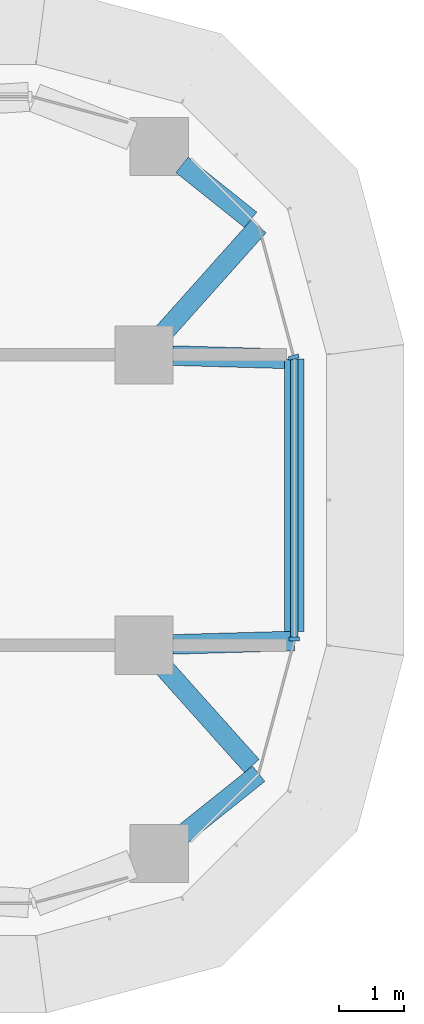
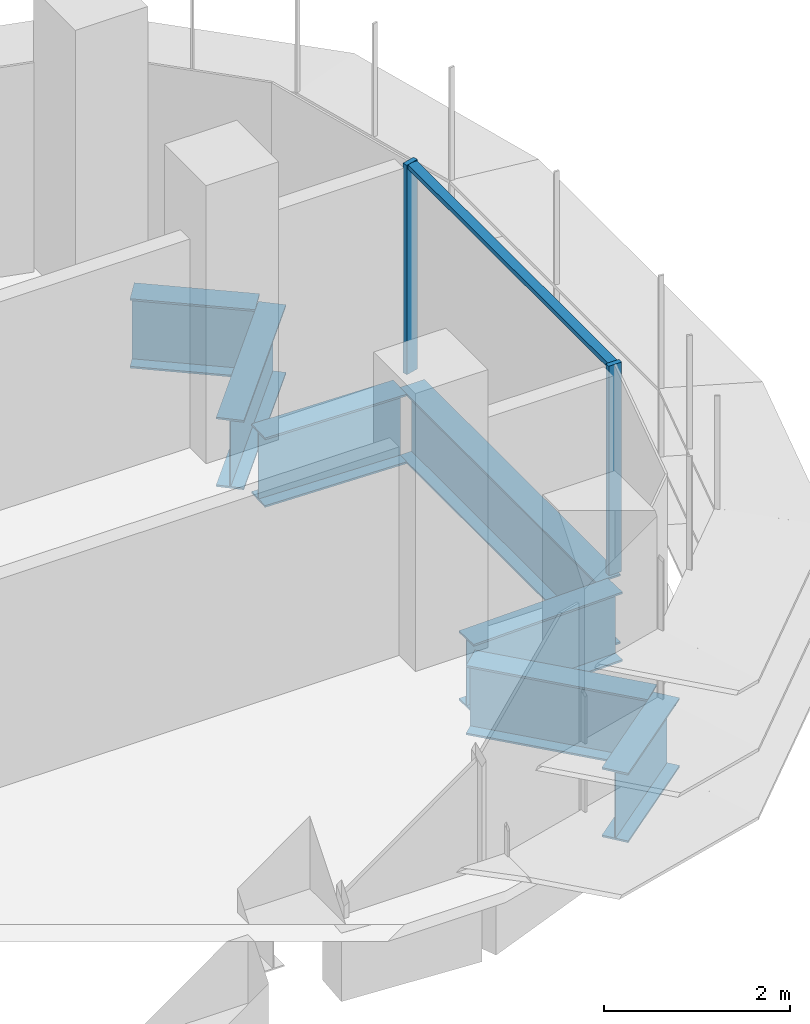
# One storey, part 10 of 21: 7 beams, 3 members, 2 elements without a shape of their own.
"""IFC4 building model written with IfcOpenShell, lengths in metres."""

import ifcopenshell
import ifcopenshell.guid

model = None  # the IFC model being written
_history = None  # IfcOwnerHistory: only IFC2X3 demands one
_inside = {}  # id of a spatial element -> (the spatial element, [elements in it])
_under = {}  # id of a project, library or spatial element -> (it, [spatial elements below it])
_declared = {}  # id of a project -> (the project, [libraries it declares])
_typed = {}  # id of a type object -> (the type object, [elements of that type])
_made_of = {}  # id of a material, layer set ... -> (it, [elements and type objects made of it])


def new_model(schema):
    """Start an empty IFC model of exactly this schema.

    Asked for "IFC4X3", IfcOpenShell would pick the latest addendum, in which some entities
    have other attributes; the version numbers below select the first issue.
    IFC2X3 requires an IfcOwnerHistory on every rooted entity: one is made here for all.
    """
    global model, _history
    if schema == "IFC4X3":
        model = ifcopenshell.file(schema_version=(4, 3, 0, 0))
    else:
        model = ifcopenshell.file(schema=schema)
    _inside.clear()
    _under.clear()
    _declared.clear()
    _typed.clear()
    _made_of.clear()
    _history = None
    if model.schema == "IFC2X3":
        org = make("IfcOrganization", Name="unknown")
        user = make(
            "IfcPersonAndOrganization",
            ThePerson=make("IfcPerson", FamilyName="unknown"),
            TheOrganization=org,
        )
        app = make(
            "IfcApplication",
            ApplicationDeveloper=org,
            Version="unknown",
            ApplicationFullName="unknown",
            ApplicationIdentifier="unknown",
        )
        _history = make(
            "IfcOwnerHistory",
            OwningUser=user,
            OwningApplication=app,
            ChangeAction="ADDED",
            CreationDate=0,
        )
    return model


def make(cls, **values):
    """One entity of the class cls with the attributes given. An attribute that is None is left unset."""
    return model.create_entity(
        cls, **{name: value for name, value in values.items() if value is not None}
    )


def rooted(cls, **values):
    """An entity with a GlobalId (a new one), such as an element, a storey or a relation."""
    return make(cls, GlobalId=ifcopenshell.guid.new(), OwnerHistory=_history, **values)


def si_unit(unit_type, name, prefix=None):
    """IfcSIUnit, for example si_unit("LENGTHUNIT", "METRE", prefix="MILLI")."""
    return make("IfcSIUnit", UnitType=unit_type, Prefix=prefix, Name=name)


def assignment(units):
    """IfcUnitAssignment: the units of a project."""
    return None if units is None else make("IfcUnitAssignment", Units=units)


def point(xyz):
    """IfcCartesianPoint."""
    return None if xyz is None else make("IfcCartesianPoint", Coordinates=xyz)


def direction(xyz):
    """IfcDirection."""
    return None if xyz is None else make("IfcDirection", DirectionRatios=xyz)


def frame(location, z_axis=None, x_axis=None):
    """IfcAxis2Placement3D, a coordinate frame: its origin and axes. An axis left out is left unset."""
    return make(
        "IfcAxis2Placement3D",
        Location=point(location),
        Axis=direction(z_axis),
        RefDirection=direction(x_axis),
    )


def frame_2d(location, x_axis=None):
    """IfcAxis2Placement2D, a coordinate frame in the plane: its origin and x axis."""
    return make(
        "IfcAxis2Placement2D", Location=point(location), RefDirection=direction(x_axis)
    )


def origin():
    """The frame at (0, 0, 0) with its axes left unset."""
    return frame((0.0, 0.0, 0.0))


def origin_2d():
    """The frame at (0, 0) in the plane with its x axis left unset."""
    return frame_2d((0.0, 0.0))


def place(relative_to, where):
    """IfcLocalPlacement: puts the frame where relative to a parent placement (None: the world)."""
    return make(
        "IfcLocalPlacement", PlacementRelTo=relative_to, RelativePlacement=where
    )


def context(
    kind, dimensions, precision=None, world=None, true_north=None, identifier=None
):
    """IfcGeometricRepresentationContext, for example the 3D "Model" context."""
    return make(
        "IfcGeometricRepresentationContext",
        ContextIdentifier=identifier,
        ContextType=kind,
        CoordinateSpaceDimension=dimensions,
        Precision=precision,
        WorldCoordinateSystem=world,
        TrueNorth=true_north,
    )


def subcontext(parent, identifier, kind, view, scale=None):
    """IfcGeometricRepresentationSubContext, for example "Body" below "Model"."""
    return make(
        "IfcGeometricRepresentationSubContext",
        ContextIdentifier=identifier,
        ContextType=kind,
        ParentContext=parent,
        TargetScale=scale,
        TargetView=view,
    )


def project(units=None, contexts=None):
    """IfcProject with its units and contexts."""
    return rooted(
        "IfcProject",
        Name="project",
        RepresentationContexts=contexts,
        UnitsInContext=assignment(units),
    )


def spatial(cls, under=None, at=None, **own):
    """A site, building, storey or space (cls), placed at a placement, below another one or the project."""
    s = rooted(cls, ObjectPlacement=at, **own)
    if under is not None:
        _under.setdefault(under.id(), (under, []))[1].append(s)
    return s


def polyline(points):
    """IfcPolyline through the points."""
    return make("IfcPolyline", Points=[point(p) for p in points])


def profile(cls, at=None, kind="AREA", **sizes):
    """A parametric profile (cls). Its sizes go by their IFC names, for example OverallWidth=200.0."""
    return make(cls, ProfileType=kind, Position=at, **sizes)


def i_section(**sizes):
    """IfcIShapeProfileDef."""
    return profile("IfcIShapeProfileDef", **sizes)


def outline(outer, holes=None, kind="AREA"):
    """IfcArbitraryClosedProfileDef: a profile drawn as a closed curve; with holes, ...WithVoids."""
    if holes is None:
        return make("IfcArbitraryClosedProfileDef", ProfileType=kind, OuterCurve=outer)
    return make(
        "IfcArbitraryProfileDefWithVoids",
        ProfileType=kind,
        OuterCurve=outer,
        InnerCurves=holes,
    )


def extrude(swept, where, along, depth):
    """IfcExtrudedAreaSolid: the profile swept, set in the frame where, extruded along a direction by depth."""
    return make(
        "IfcExtrudedAreaSolid",
        SweptArea=swept,
        Position=where,
        ExtrudedDirection=direction(along),
        Depth=depth,
    )


def shape(context_of_items, identifier, shape_type, items):
    """IfcShapeRepresentation: the items that make up one representation, for example the "Body"."""
    return make(
        "IfcShapeRepresentation",
        ContextOfItems=context_of_items,
        RepresentationIdentifier=identifier,
        RepresentationType=shape_type,
        Items=items,
    )


def source(mapping_origin, context_of_items, identifier, shape_type, items):
    """IfcRepresentationMap: a shape defined once, which mapped items show again and again."""
    return make(
        "IfcRepresentationMap",
        MappingOrigin=mapping_origin,
        MappedRepresentation=shape(context_of_items, identifier, shape_type, items),
    )


def transform(
    local_origin,
    x_axis=None,
    y_axis=None,
    z_axis=None,
    scale=None,
    scale2=None,
    scale3=None,
    uniform=True,
):
    """IfcCartesianTransformationOperator3D, or its non-uniform kind. x_axis, y_axis, z_axis: its Axis1, 2, 3."""
    if uniform:
        return make(
            "IfcCartesianTransformationOperator3D",
            Axis1=direction(x_axis),
            Axis2=direction(y_axis),
            LocalOrigin=point(local_origin),
            Scale=scale,
            Axis3=direction(z_axis),
        )
    return make(
        "IfcCartesianTransformationOperator3DnonUniform",
        Axis1=direction(x_axis),
        Axis2=direction(y_axis),
        LocalOrigin=point(local_origin),
        Scale=scale,
        Axis3=direction(z_axis),
        Scale2=scale2,
        Scale3=scale3,
    )


def mapped(mapping_source, mapping_target):
    """IfcMappedItem: shows the shape of a source again, moved by a transform."""
    return make(
        "IfcMappedItem", MappingSource=mapping_source, MappingTarget=mapping_target
    )


def material(Name=None, Category=None):
    """IfcMaterial."""
    return make("IfcMaterial", Name=Name, Category=Category)


def material_profile(
    of_material, cross_section, Name=None, Category=None, Priority=None
):
    """IfcMaterialProfile: a cross section and its material."""
    return make(
        "IfcMaterialProfile",
        Name=Name,
        Material=of_material,
        Profile=cross_section,
        Priority=Priority,
        Category=Category,
    )


def profile_set(profiles, Name=None, composite=None):
    """IfcMaterialProfileSet."""
    return make(
        "IfcMaterialProfileSet",
        Name=Name,
        MaterialProfiles=profiles,
        CompositeProfile=composite,
    )


def made_of(thing, what):
    """Note that an element or type object is made of a material, layer set ...; save() writes the relation."""
    if what is not None:
        _made_of.setdefault(what.id(), (what, []))[1].append(thing)
    return thing


def type_object(cls, material=None, **own):
    """A type object (cls), such as IfcWallType, which elements share."""
    return made_of(rooted(cls, **own), material)


def element(
    cls,
    number,
    at=None,
    inside=None,
    cuts=None,
    type_object=None,
    material=None,
    context=None,
    identifier="Body",
    shape_type=None,
    held_by="IfcProductDefinitionShape",
    body=None,
    shapes=None,
    **own,
):
    """One element of the class cls, such as IfcWall. Its Tag is "e" and its number.

    at: its placement. inside: the storey or other place that contains it. cuts: it is an
    opening in that element (IfcRelVoidsElement). A single representation is given by context,
    identifier, shape_type and body (its items); several are given by shapes. held_by: the class
    of the entity that holds the representations. save() writes the other relations.
    """
    e = rooted(cls, Tag="e%d" % number, ObjectPlacement=at, **own)
    if body is not None:
        shapes = [shape(context, identifier, shape_type, body)]
    if shapes is not None:
        e.Representation = make(held_by, Representations=shapes)
    if inside is not None:
        _inside.setdefault(inside.id(), (inside, []))[1].append(e)
    if cuts is not None:
        rooted(
            "IfcRelVoidsElement", RelatingBuildingElement=cuts, RelatedOpeningElement=e
        )
    if type_object is not None:
        _typed.setdefault(type_object.id(), (type_object, []))[1].append(e)
    return made_of(e, material)


def aggregate(whole, parts):
    """IfcRelAggregates: a whole, such as a stair, and the parts it consists of."""
    return rooted("IfcRelAggregates", RelatingObject=whole, RelatedObjects=parts)


def save(model, path):
    """Write the relations noted so far, then the file.

    IfcRelAggregates (storeys below a building ...), IfcRelContainedInSpatialStructure (elements
    in a storey), IfcRelDefinesByType, IfcRelAssociatesMaterial and IfcRelDeclares: one each for
    every whole, place, type object, material and project.
    """
    for whole, parts in _under.values():
        aggregate(whole, parts)
    for where, things in _inside.values():
        rooted(
            "IfcRelContainedInSpatialStructure",
            RelatedElements=things,
            RelatingStructure=where,
        )
    for kind, things in _typed.values():
        rooted("IfcRelDefinesByType", RelatedObjects=things, RelatingType=kind)
    for what, things in _made_of.values():
        rooted("IfcRelAssociatesMaterial", RelatedObjects=things, RelatingMaterial=what)
    for by, libraries in _declared.values():
        rooted("IfcRelDeclares", RelatingContext=by, RelatedDefinitions=libraries)
    model.write(path)


model = new_model("IFC4")

# Units and contexts
model_context = context("Model", 3, precision=1e-05, world=origin(), true_north=direction((0.0, 1.0)))
body_context = subcontext(model_context, "Body", "Model", "MODEL_VIEW")
ifc_project = project(units=[si_unit("LENGTHUNIT", "METRE"), si_unit("AREAUNIT", "SQUARE_METRE"), si_unit("VOLUMEUNIT", "CUBIC_METRE"), si_unit("PLANEANGLEUNIT", "RADIAN"), si_unit("MASSUNIT", "GRAM", prefix="KILO")], contexts=[model_context])

# Site, building, storey
site_placement = place(None, origin())
site = spatial("IfcSite", under=ifc_project, at=site_placement, CompositionType="ELEMENT")
building_placement = place(site_placement, origin())
building = spatial("IfcBuilding", under=site, at=building_placement, Name="Zarbagh Exchange Tower", CompositionType="ELEMENT")
storey_placement = place(building_placement, frame((0.0, 0.0, 128.39990234375)))
storey = spatial("IfcBuildingStorey", under=building, at=storey_placement, Name="L30", CompositionType="ELEMENT", Elevation=128.39990234375)

# Beams
ifc_material_1 = material(Name="Steel ASTM A992 Gr 50", Category="steel")
ifc_material_profile = material_profile(ifc_material_1, i_section(OverallWidth=0.3046875, OverallDepth=0.911865234375, WebThickness=0.015869140625, FlangeThickness=0.02392578125, at=origin_2d()), Name="W36X150")
ifc_profile_set = profile_set([ifc_material_profile], Name="Steel ASTM A992 Gr 50")
beam_type = type_object("IfcBeamType", Name="Floor girder W36X150", PredefinedType="BEAM", material=ifc_profile_set)
beam_1_placement = place(storey_placement, frame((29.25927734375, 5.193603515625, -0.605712890625), z_axis=(0.780641570564, -0.624978990293, 0.0), x_axis=(0.624978990293, 0.780641570564, 0.0)))
element("IfcBeam", 1, at=beam_1_placement, inside=storey, type_object=beam_type, Name="Steel girder", PredefinedType="BEAM", context=body_context, shape_type="SweptSolid", body=[
    extrude(i_section(OverallWidth=0.3046875, OverallDepth=0.911865234375, WebThickness=0.015869140625, FlangeThickness=0.02392578125, at=origin_2d()), origin(), (0.0, 0.0, 1.0), 1.363037109375),
])
beam_2_placement = place(storey_placement, frame((30.44873046875, 4.2412109375, -0.605712890625), z_axis=(-0.666232102063, -0.745744450989, 0.0), x_axis=(0.745744450989, -0.666232102063, 0.0)))
element("IfcBeam", 2, at=beam_2_placement, inside=storey, type_object=beam_type, Name="Steel girder", PredefinedType="BEAM", context=body_context, shape_type="SweptSolid", body=[
    extrude(i_section(OverallWidth=0.3046875, OverallDepth=0.911865234375, WebThickness=0.015869140625, FlangeThickness=0.02392578125, at=origin_2d()), origin(), (0.0, 0.0, 1.0), 2.219970703125),
])
beam_3_placement = place(storey_placement, frame((29.119873046875, 2.2373046875, -0.605712890625), z_axis=(0.999602818669, -0.02818164135, 0.0), x_axis=(0.02818164135, 0.999602818669, 0.0)))
element("IfcBeam", 3, at=beam_3_placement, inside=storey, type_object=beam_type, Name="Steel girder", PredefinedType="BEAM", context=body_context, shape_type="SweptSolid", body=[
    extrude(i_section(OverallWidth=0.3046875, OverallDepth=0.911865234375, WebThickness=0.015869140625, FlangeThickness=0.02392578125, at=origin_2d()), origin(), (0.0, 0.0, 1.0), 1.732666015625),
])
beam_4_placement = place(storey_placement, frame((31.0, 2.18408203125, -0.605712890625), z_axis=(0.0, -1.0, 0.0), x_axis=(1.0, 0.0, 0.0)))
element("IfcBeam", 4, at=beam_4_placement, inside=storey, type_object=beam_type, Name="Steel girder", PredefinedType="BEAM", context=body_context, shape_type="SweptSolid", body=[
    extrude(i_section(OverallWidth=0.3046875, OverallDepth=0.911865234375, WebThickness=0.015869140625, FlangeThickness=0.02392578125, at=origin_2d()), origin(), (0.0, 0.0, 1.0), 4.219970703125),
])
beam_5_placement = place(storey_placement, frame((31.0, -2.18408203125, -0.605712890625), z_axis=(-0.999599568876, -0.028296676537, 0.0), x_axis=(0.028296676537, -0.999599568876, 0.0)))
element("IfcBeam", 5, at=beam_5_placement, inside=storey, type_object=beam_type, Name="Steel girder", PredefinedType="BEAM", context=body_context, shape_type="SweptSolid", body=[
    extrude(i_section(OverallWidth=0.3046875, OverallDepth=0.911865234375, WebThickness=0.015869140625, FlangeThickness=0.02392578125, at=origin_2d()), origin(), (0.0, 0.0, 1.0), 1.880859375),
])
beam_6_placement = place(storey_placement, frame((28.9697265625, -2.585693359375, -0.605712890625), z_axis=(0.666333788732, -0.745653593832, 0.0), x_axis=(0.745653593832, 0.666333788732, 0.0)))
element("IfcBeam", 6, at=beam_6_placement, inside=storey, type_object=beam_type, Name="Steel girder", PredefinedType="BEAM", context=body_context, shape_type="SweptSolid", body=[
    extrude(i_section(OverallWidth=0.3046875, OverallDepth=0.911865234375, WebThickness=0.015869140625, FlangeThickness=0.02392578125, at=origin_2d()), origin(), (0.0, 0.0, 1.0), 2.05908203125),
])
beam_7_placement = place(storey_placement, frame((30.44873046875, -4.2412109375, -0.605712890625), z_axis=(-0.780603004261, -0.6250271592, 0.0), x_axis=(0.6250271592, -0.780603004261, 0.0)))
element("IfcBeam", 7, at=beam_7_placement, inside=storey, type_object=beam_type, Name="Steel girder", PredefinedType="BEAM", context=body_context, shape_type="SweptSolid", body=[
    extrude(i_section(OverallWidth=0.3046875, OverallDepth=0.911865234375, WebThickness=0.015869140625, FlangeThickness=0.02392578125, at=origin_2d()), origin(), (0.0, 0.0, 1.0), 1.523681640625),
])

# Curtain wall, member
ifc_material_2 = material(Name="Anodised aluminium frame and glazing", Category="aluminium")
curtain_wall_type = type_object("IfcCurtainWallType", Name="CWA Ribbon glazing, lower zones", PredefinedType="NOTDEFINED", material=ifc_material_2)
curtain_wall_1_placement = place(storey_placement, origin())
curtain_wall_1 = element("IfcCurtainWall", 8, at=curtain_wall_1_placement, inside=storey, type_object=curtain_wall_type, Name="CWA66 curtain wall", PredefinedType="NOTDEFINED")
ifc_material_3 = material(Name="Anodised aluminium frame", Category="aluminium")
member_type_1 = type_object("IfcMemberType", Name="MUA Mullion, anodised aluminium frame", PredefinedType="MULLION", material=ifc_material_3)
shared_shape_1 = source(origin(), body_context, "Body", "SweptSolid", [
    extrude(outline(polyline([(0.0, -0.080078125), (0.06005859375, -0.080078125), (0.06005859375, 0.080078125), (0.0, 0.080078125), (0.0, -0.080078125)])), origin(), (0.0, 0.0, 1.0), 2.75),
])
placement = place(storey_placement, origin())
member_1 = element("IfcMember", 9, at=placement, type_object=member_type_1, Name="CWA66 mullion 1.1", PredefinedType="MULLION", context=body_context, shape_type="MappedRepresentation", body=[
    mapped(shared_shape_1, transform((31.0, -2.18408203125, 0.0), x_axis=(0.0, 1.0, 0.0), y_axis=(-1.0, 0.0, 0.0), z_axis=(0.0, 0.0, 1.0))),
])

curtain_wall_2_placement = place(storey_placement, origin())
curtain_wall_2 = element("IfcCurtainWall", 10, at=curtain_wall_2_placement, inside=storey, type_object=curtain_wall_type, Name="CWA62 curtain wall", PredefinedType="NOTDEFINED")
member_2 = element("IfcMember", 11, at=placement, type_object=member_type_1, Name="CWA62 mullion 1.1", PredefinedType="MULLION", context=body_context, shape_type="MappedRepresentation", body=[
    mapped(shared_shape_1, transform((31.0, 2.18408203125, 0.0), x_axis=(-0.258824779902, 0.965924289636, 0.0), y_axis=(-0.965924289636, -0.258824779902, 0.0), z_axis=(0.0, 0.0, 1.0))),
])
aggregate(curtain_wall_2, [member_2])

# Member
member_type_2 = type_object("IfcMemberType", Name="TRA Transom, anodised aluminium frame", PredefinedType="USERDEFINED", material=ifc_material_3)
shared_shape_2 = source(origin(), body_context, "Body", "SweptSolid", [
    extrude(outline(polyline([(-0.06005859375, -0.06005859375), (0.0, -0.06005859375), (0.0, 0.06005859375), (-0.06005859375, 0.06005859375), (-0.06005859375, -0.06005859375)])), origin(), (0.0, 0.0, 1.0), 4.308349609375),
])
member_3 = element("IfcMember", 12, at=placement, type_object=member_type_2, Name="CWA66 transom 1.1", ObjectType="TRANSOM", PredefinedType="USERDEFINED", context=body_context, shape_type="MappedRepresentation", body=[
    mapped(shared_shape_2, transform((31.0, -2.124267578125, 2.75), x_axis=(0.0, 0.0, 1.0), y_axis=(1.0, 0.0, 0.0), z_axis=(0.0, 1.0, 0.0))),
])

aggregate(curtain_wall_1, [member_1, member_3])

save(model, "model.ifc")
